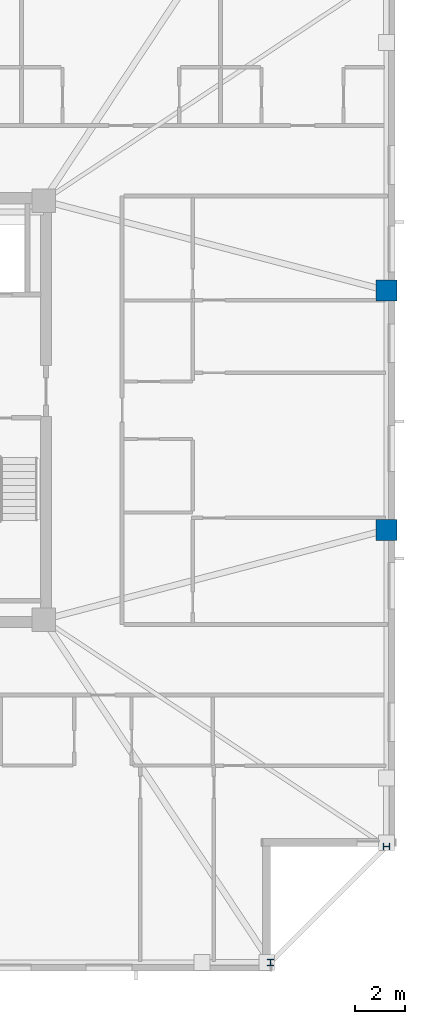
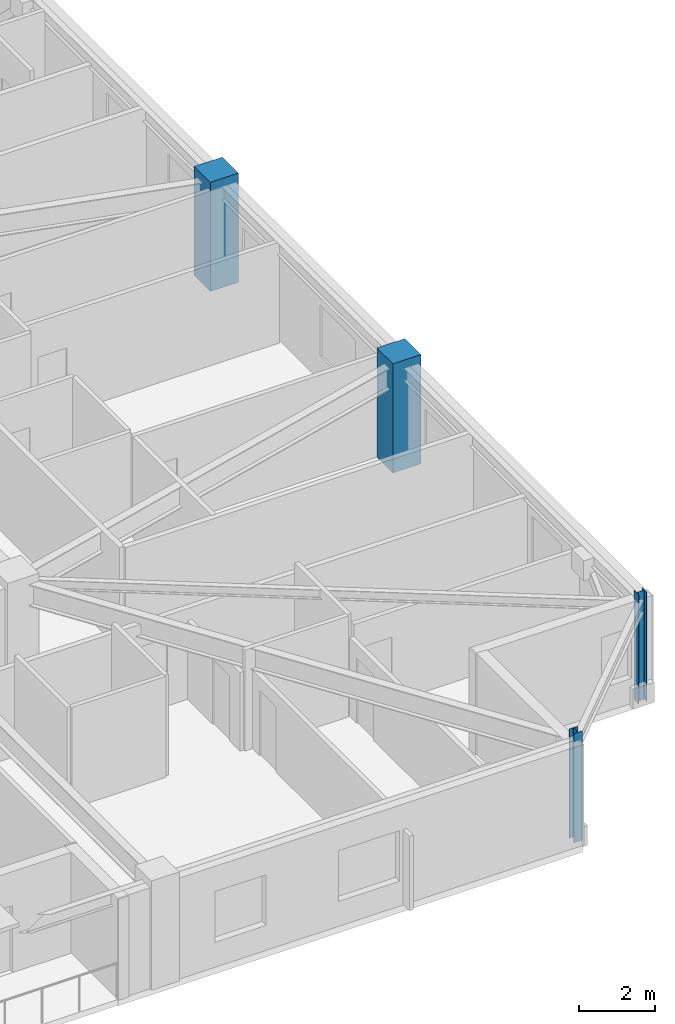
# One storey, part 3 of 17: 4 columns.
"""IFC4 building model written with IfcOpenShell, lengths in metres."""

from ifc_helpers import new_model, si_unit, direction, frame, origin, origin_2d, place, context, subcontext, project, spatial, rectangle, i_section, extrude, material, material_profile, profile_set, type_object, element, save


model = new_model("IFC4")

# Units and contexts
model_context = context("Model", 3, precision=1e-05, world=origin(), true_north=direction((0.0, 1.0)))
body_context = subcontext(model_context, "Body", "Model", "MODEL_VIEW")
ifc_project = project(units=[si_unit("LENGTHUNIT", "METRE"), si_unit("AREAUNIT", "SQUARE_METRE"), si_unit("VOLUMEUNIT", "CUBIC_METRE"), si_unit("PLANEANGLEUNIT", "RADIAN"), si_unit("MASSUNIT", "GRAM", prefix="KILO")], contexts=[model_context])

# Site, building, storey
site_placement = place(None, origin())
site = spatial("IfcSite", under=ifc_project, at=site_placement, CompositionType="ELEMENT")
building_placement = place(site_placement, origin())
building = spatial("IfcBuilding", under=site, at=building_placement, Name="Cairnveth Concourse Tower", CompositionType="ELEMENT")
storey_placement = place(building_placement, frame((0.0, 0.0, 272.5)))
storey = spatial("IfcBuildingStorey", under=building, at=storey_placement, Name="L75", CompositionType="ELEMENT", Elevation=272.5)

# Columns
ifc_material_1 = material(Name="Concrete N65 (65 MPa)", Category="concrete")
ifc_material_profile_1 = material_profile(ifc_material_1, rectangle(XDim=0.85009765625, YDim=0.85009765625, at=origin_2d()), Name="RC-COL-850x850")
ifc_profile_set_1 = profile_set([ifc_material_profile_1], Name="Concrete N65 (65 MPa)")
column_type_1 = type_object("IfcColumnType", Name="PERIMETER PIER COLUMN 850X850", PredefinedType="COLUMN", material=ifc_profile_set_1)
for number, where, z_axis, x_axis, name in (
    (1, (74.14990234375, 34.199951171875, 0.0), (0.0, 0.0, 1.0), (0.0, 1.0, 0.0), "Column P-E2 L75"),
    (2, (74.14990234375, 43.800048828125, 0.0), (0.0, 0.0, 1.0), (0.0, 1.0, 0.0), "Column P-E3 L75"),
):
    element("IfcColumn", number, at=place(storey_placement, frame(where, z_axis=z_axis, x_axis=x_axis)), inside=storey, type_object=column_type_1, Name=name, PredefinedType="COLUMN", context=body_context, shape_type="SweptSolid", body=[
        extrude(rectangle(XDim=0.85009765625, YDim=0.85009765625, at=origin_2d()), origin(), (0.0, 0.0, 1.0), 3.5),
    ])
ifc_material_2 = material(Name="Steel Grade 350", Category="steel")
ifc_material_profile_2 = material_profile(ifc_material_2, i_section(OverallWidth=0.256103515625, OverallDepth=0.260009765625, WebThickness=0.010498046875, FlangeThickness=0.017333984375, FilletRadius=0.012939453125, at=origin_2d()), Name="250UC89.5")
ifc_profile_set_2 = profile_set([ifc_material_profile_2], Name="Steel Grade 350")
column_type_2 = type_object("IfcColumnType", Name="UNIVERSAL STEEL COLUMN 250UC89.5", PredefinedType="COLUMN", material=ifc_profile_set_2)
for number, where, z_axis, x_axis, name in (
    (3, (69.5, 16.85009765625, 0.0), (0.0, 0.0, 1.0), (1.0, 0.0, 0.0), "Column P-S4 L75"),
    (4, (74.14990234375, 21.5, 0.0), (0.0, 0.0, 1.0), (0.0, 1.0, 0.0), "Column P-E1 L75"),
):
    element("IfcColumn", number, at=place(storey_placement, frame(where, z_axis=z_axis, x_axis=x_axis)), inside=storey, type_object=column_type_2, Name=name, PredefinedType="COLUMN", context=body_context, shape_type="SweptSolid", body=[
        extrude(i_section(OverallWidth=0.256103515625, OverallDepth=0.260009765625, WebThickness=0.010498046875, FlangeThickness=0.017333984375, FilletRadius=0.012939453125, at=origin_2d()), origin(), (0.0, 0.0, 1.0), 3.5),
    ])

save(model, "model.ifc")
